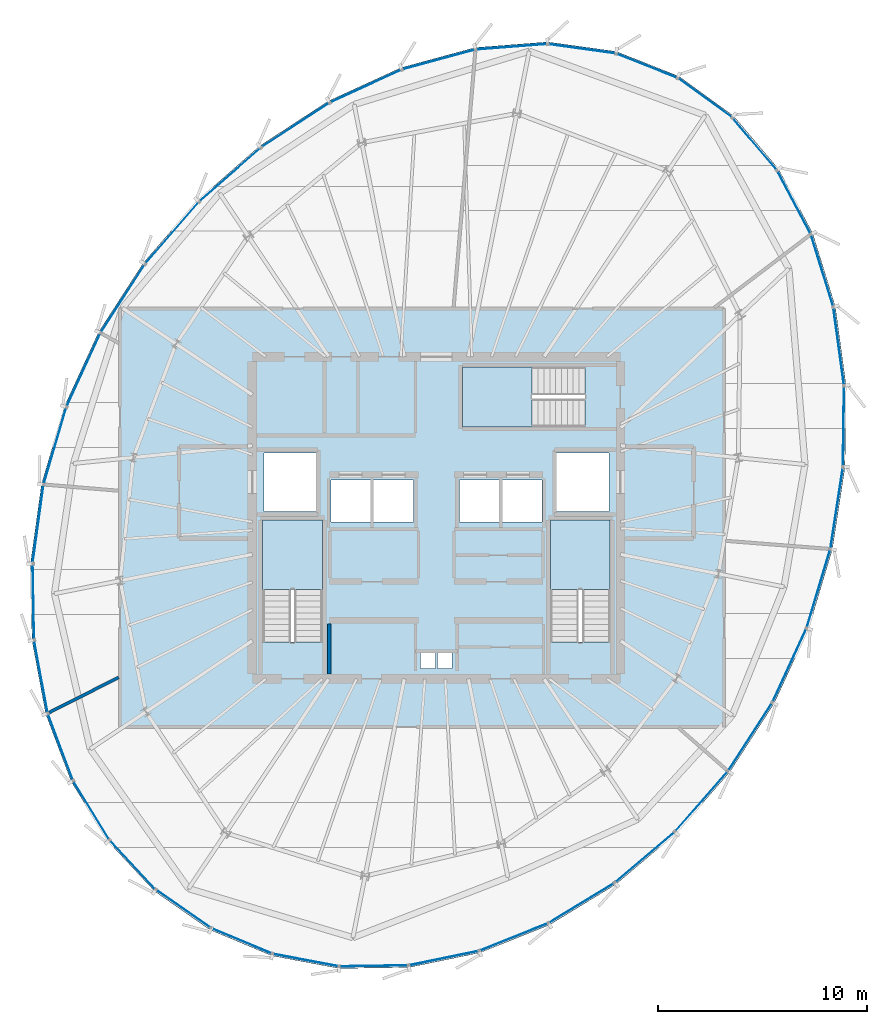
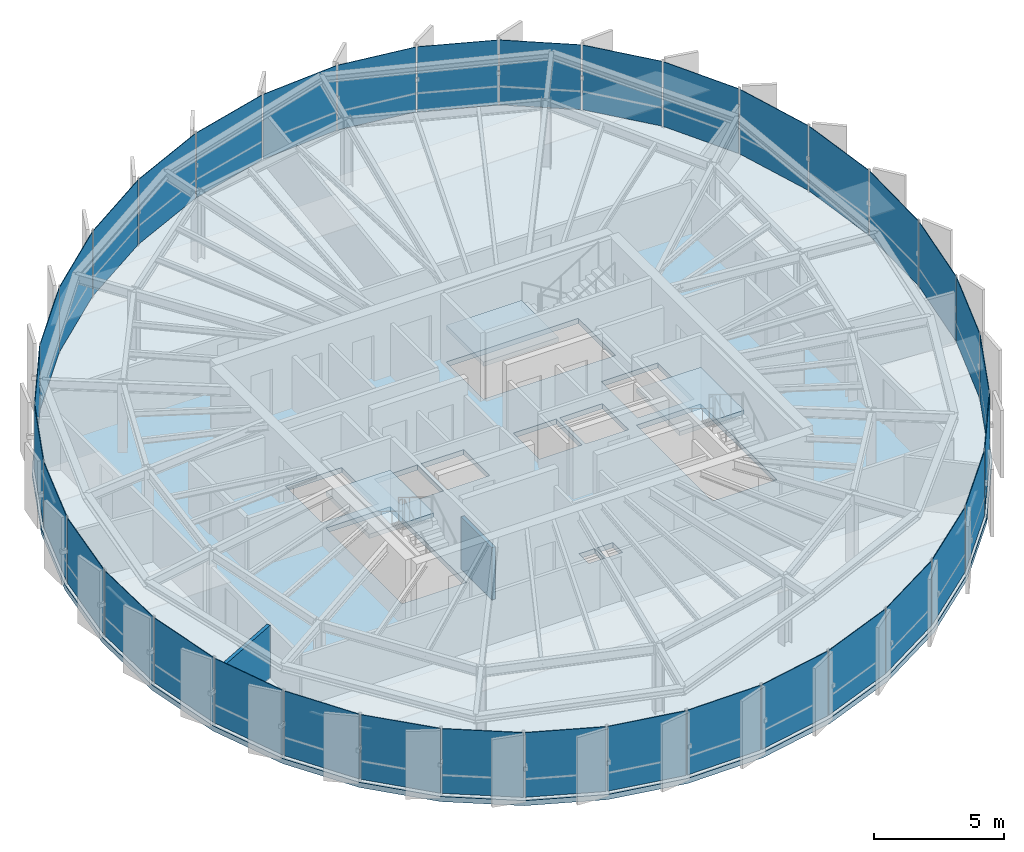
# One storey, part 25 of 32: 36 plates, 4 slabs, 2 walls, 9 elements without a shape of their own.
"""IFC4 building model written with IfcOpenShell, lengths in metres."""

from ifc_helpers import new_model, si_unit, direction, frame, frame_2d, origin, origin_2d, place, context, subcontext, project, spatial, polyline, rectangle, outline, extrude, source, transform, mapped, material, layer, layer_set, type_object, element, aggregate, save


model = new_model("IFC4")

# Units and contexts
model_context = context("Model", 3, precision=1e-05, world=origin(), true_north=direction((0.0, 1.0)))
body_context = subcontext(model_context, "Body", "Model", "MODEL_VIEW")
ifc_project = project(units=[si_unit("LENGTHUNIT", "METRE"), si_unit("AREAUNIT", "SQUARE_METRE"), si_unit("VOLUMEUNIT", "CUBIC_METRE"), si_unit("PLANEANGLEUNIT", "RADIAN"), si_unit("MASSUNIT", "GRAM", prefix="KILO"), si_unit("THERMODYNAMICTEMPERATUREUNIT", "KELVIN")], contexts=[model_context])

# Site, building, storey
site_placement = place(None, origin())
site = spatial("IfcSite", under=ifc_project, at=site_placement, CompositionType="ELEMENT")
building_placement = place(site_placement, origin())
building = spatial("IfcBuilding", under=site, at=building_placement, Name="Kethvar Cultural Tower", CompositionType="ELEMENT")
storey_placement = place(building_placement, frame((0.0, 0.0, 280.14990234375)))
storey = spatial("IfcBuildingStorey", under=building, at=storey_placement, Name="L74", CompositionType="ELEMENT", Elevation=280.14990234375)

# Stair, slab
ifc_material_1 = material(Name="Concrete C40/50", Category="concrete")
stair_type = type_object("IfcStairType", Name="ST-DOGLEG-135", PredefinedType="HALF_TURN_STAIR", material=ifc_material_1)
stair_1_placement = place(storey_placement, origin())
stair_1 = element("IfcStair", 1, at=stair_1_placement, inside=storey, type_object=stair_type, Name="L74 Core Exit Stair 1", PredefinedType="HALF_TURN_STAIR")
ifc_layer_1 = layer(ifc_material_1, 0.199951171875, Name="Concrete C40/50", Category="concrete")
ifc_layer_set_1 = layer_set([ifc_layer_1], Name="Concrete C40/50 (200 mm)")
slab_type_1 = type_object("IfcSlabType", Name="SL-STAIR-LANDING-200", PredefinedType="LANDING", material=ifc_layer_set_1)
slab_1_placement = place(storey_placement, frame((0.0, 0.0, 1.525146484375)))
slab_1 = element("IfcSlab", 2, at=slab_1_placement, type_object=slab_type_1, Name="ST-01 landing 1", PredefinedType="LANDING", context=body_context, shape_type="SweptSolid", body=[
    extrude(outline(polyline([(41.35009765625, 24.3701171875), (41.35009765625, 27.699951171875), (38.489990234375, 27.699951171875), (38.489990234375, 24.3701171875), (41.35009765625, 24.3701171875)])), origin(), (0.0, 0.0, 1.0), 0.199951171875),
])
aggregate(stair_1, [slab_1])

stair_2_placement = place(storey_placement, origin())
stair_2 = element("IfcStair", 3, at=stair_2_placement, inside=storey, type_object=stair_type, Name="L74 Core Exit Stair 2", PredefinedType="HALF_TURN_STAIR")
slab_2_placement = place(storey_placement, frame((0.0, 0.0, 1.525146484375)))
slab_2 = element("IfcSlab", 4, at=slab_2_placement, type_object=slab_type_1, Name="ST-02 landing 1", PredefinedType="LANDING", context=body_context, shape_type="SweptSolid", body=[
    extrude(outline(polyline([(55.110107421875, 24.3701171875), (55.110107421875, 27.699951171875), (52.25, 27.699951171875), (52.25, 24.3701171875), (55.110107421875, 24.3701171875)])), origin(), (0.0, 0.0, 1.0), 0.199951171875),
])
aggregate(stair_2, [slab_2])

stair_3_placement = place(storey_placement, origin())
stair_3 = element("IfcStair", 5, at=stair_3_placement, inside=storey, type_object=stair_type, Name="L74 Core Exit Stair 3", PredefinedType="HALF_TURN_STAIR")
slab_3_placement = place(storey_placement, frame((0.0, 0.0, 1.525146484375)))
slab_3 = element("IfcSlab", 6, at=slab_3_placement, type_object=slab_type_1, Name="ST-03 landing 1", PredefinedType="LANDING", context=body_context, shape_type="SweptSolid", body=[
    extrude(outline(polyline([(51.3798828125, 35.010009765625), (48.050048828125, 35.010009765625), (48.050048828125, 32.14990234375), (51.3798828125, 32.14990234375), (51.3798828125, 35.010009765625)])), origin(), (0.0, 0.0, 1.0), 0.199951171875),
])
aggregate(stair_3, [slab_3])

# Slab
ifc_layer_2 = layer(ifc_material_1, 0.239990234375, Name="Concrete C40/50", Category="concrete")
ifc_layer_set_2 = layer_set([ifc_layer_2], Name="Concrete C40/50 (240 mm)")
slab_type_2 = type_object("IfcSlabType", Name="SL-TOW-240", PredefinedType="FLOOR", material=ifc_layer_set_2)
slab_4_placement = place(storey_placement, frame((0.0, 0.0, -0.239990234375)))
element("IfcSlab", 7, at=slab_4_placement, inside=storey, type_object=slab_type_2, Name="L74 Structural Floor Slab", PredefinedType="FLOOR", context=body_context, shape_type="SweptSolid", body=[
    extrude(outline(polyline([(58.40185546875, 48.90380859375), (55.40380859375, 50.093505859375), (52.11376953125, 50.55029296875), (48.642578125, 50.2802734375), (45.111328125, 49.31982421875), (41.64501953125, 47.72998046875), (38.36474609375, 45.588134765625), (35.38037109375, 42.977783203125), (32.784912109375, 39.98291015625), (30.649169921875, 36.678955078125), (29.013671875, 33.123046875), (27.918701171875, 29.4052734375), (27.3974609375, 25.638671875), (27.465576171875, 21.937744140625), (28.121337890625, 18.4150390625), (29.344482421875, 15.177490234375), (31.09814453125, 12.3232421875), (33.328857421875, 9.939453125), (35.968994140625, 8.098388671875), (38.93798828125, 6.85595703125), (42.14599609375, 6.249755859375), (45.49560546875, 6.29833984375), (48.884521484375, 7.00048828125), (52.210205078125, 8.334228515625), (55.37158203125, 10.259765625), (58.2724609375, 12.718017578125), (60.82470703125, 15.634765625), (62.950927734375, 18.9208984375), (64.595947265625, 22.49462890625), (65.73388671875, 26.290771484375), (66.3388671875, 30.209228515625), (66.3896484375, 34.126708984375), (65.87451171875, 37.905029296875), (64.79345703125, 41.401123046875), (63.16162109375, 44.476806640625), (61.012939453125, 47.010009765625), (58.40185546875, 48.90380859375)]), holes=[polyline([(38.489990234375, 21.85009765625), (38.489990234375, 27.699951171875), (41.35009765625, 27.699951171875), (41.35009765625, 21.85009765625), (38.489990234375, 21.85009765625)]), polyline([(52.25, 21.85009765625), (52.25, 27.699951171875), (55.110107421875, 27.699951171875), (55.110107421875, 21.85009765625), (52.25, 21.85009765625)]), polyline([(53.89990234375, 32.14990234375), (48.050048828125, 32.14990234375), (48.050048828125, 35.010009765625), (53.89990234375, 35.010009765625), (53.89990234375, 32.14990234375)]), polyline([(41.75, 29.60009765625), (43.64990234375, 29.60009765625), (43.64990234375, 27.60009765625), (41.75, 27.60009765625), (41.75, 29.60009765625)]), polyline([(43.800048828125, 29.60009765625), (45.699951171875, 29.60009765625), (45.699951171875, 27.60009765625), (43.800048828125, 27.60009765625), (43.800048828125, 29.60009765625)]), polyline([(47.89990234375, 29.60009765625), (49.800048828125, 29.60009765625), (49.800048828125, 27.60009765625), (47.89990234375, 27.60009765625), (47.89990234375, 29.60009765625)]), polyline([(49.949951171875, 29.60009765625), (51.85009765625, 29.60009765625), (51.85009765625, 27.60009765625), (49.949951171875, 27.60009765625), (49.949951171875, 29.60009765625)]), polyline([(38.550048828125, 30.89990234375), (41.050048828125, 30.89990234375), (41.050048828125, 28.10009765625), (38.550048828125, 28.10009765625), (38.550048828125, 30.89990234375)]), polyline([(52.550048828125, 30.89990234375), (55.050048828125, 30.89990234375), (55.050048828125, 28.10009765625), (52.550048828125, 28.10009765625), (52.550048828125, 30.89990234375)]), polyline([(46.050048828125, 21.35009765625), (46.75, 21.35009765625), (46.75, 20.60009765625), (46.050048828125, 20.60009765625), (46.050048828125, 21.35009765625)]), polyline([(46.85009765625, 21.35009765625), (47.550048828125, 21.35009765625), (47.550048828125, 20.60009765625), (46.85009765625, 20.60009765625), (46.85009765625, 21.35009765625)])]), origin(), (0.0, 0.0, 1.0), 0.239990234375),
])

# Curtain wall, plate
ifc_material_2 = material(Name="Aluminium 6063-T6", Category="aluminium")
ifc_layer_3 = layer(ifc_material_2, 0.179931640625, Name="Aluminium 6063-T6", Category="aluminium")
ifc_layer_set_3 = layer_set([ifc_layer_3], Name="Aluminium 6063-T6 (180 mm)")
curtain_wall_type = type_object("IfcCurtainWallType", Name="CW-SYS-05-Z56", PredefinedType="NOTDEFINED", material=ifc_layer_set_3)
curtain_wall_1_placement = place(storey_placement, origin())
curtain_wall_1 = element("IfcCurtainWall", 8, at=curtain_wall_1_placement, inside=storey, type_object=curtain_wall_type, Name="L74 Curtain Wall Run 03", PredefinedType="NOTDEFINED")
ifc_material_3 = material(Name="Insulated Low-E Solar Glass", Category="glass")
ifc_layer_4 = layer(ifc_material_3, 0.028076171875, Name="Insulated Low-E Solar Glass", Category="glass")
ifc_layer_set_4 = layer_set([ifc_layer_4], Name="Insulated Low-E Solar Glass (28 mm)")
plate_type = type_object("IfcPlateType", Name="CW-SYS-05-Z56-PNL", PredefinedType="CURTAIN_PANEL", material=ifc_layer_set_4)
shared_shape_1 = source(origin(), body_context, "Body", "SweptSolid", [
    extrude(rectangle(XDim=3.622314453125, YDim=0.028076171875, at=origin_2d()), origin(), (0.0, 0.0, 1.0), 3.030029296875),
])
plate_1_placement = place(storey_placement, frame((27.531494140625, 23.7900390625, 0.08984375), z_axis=(0.0, 0.0, 1.0), x_axis=(0.018429633466, -0.999830159882, 0.0)))
plate_1 = element("IfcPlate", 9, at=plate_1_placement, type_object=plate_type, Name="CW-L74-R03 Vision Glazing Panel 1", PredefinedType="CURTAIN_PANEL", context=body_context, shape_type="MappedRepresentation", body=[
    mapped(shared_shape_1, transform((0.0, 0.0, 0.0), scale=1.0)),
])

curtain_wall_2_placement = place(storey_placement, origin())
curtain_wall_2 = element("IfcCurtainWall", 10, at=curtain_wall_2_placement, inside=storey, type_object=curtain_wall_type, Name="L74 Curtain Wall Run 04", PredefinedType="NOTDEFINED")
plate_2_placement = place(storey_placement, frame((53.73876953125, 9.38232421875, 0.08984375), z_axis=(0.0, 0.0, 1.0), x_axis=(0.854059616181, 0.520175135901, 0.0)))
plate_2 = element("IfcPlate", 11, at=plate_2_placement, type_object=plate_type, Name="CW-L74-R04 Vision Glazing Panel 6", PredefinedType="CURTAIN_PANEL", context=body_context, shape_type="MappedRepresentation", body=[
    mapped(shared_shape_1, transform((0.0, 0.0, 0.0), scale=1.0)),
])

curtain_wall_3_placement = place(storey_placement, origin())
curtain_wall_3 = element("IfcCurtainWall", 12, at=curtain_wall_3_placement, inside=storey, type_object=curtain_wall_type, Name="L74 Curtain Wall Run 02", PredefinedType="NOTDEFINED")
shared_shape_2 = source(origin(), body_context, "Body", "SweptSolid", [
    extrude(rectangle(XDim=3.834716796875, YDim=0.028076171875, at=origin_2d()), origin(), (0.0, 0.0, 1.0), 3.030029296875),
])
plate_3_placement = place(storey_placement, frame((29.922119140625, 34.859130859375, 0.08984375), z_axis=(0.0, 0.0, 1.0), x_axis=(-0.417835360629, -0.908522763286, 0.0)))
plate_3 = element("IfcPlate", 13, at=plate_3_placement, type_object=plate_type, Name="CW-L74-R02 Vision Glazing Panel 4", PredefinedType="CURTAIN_PANEL", context=body_context, shape_type="MappedRepresentation", body=[
    mapped(shared_shape_2, transform((0.0, 0.0, 0.0), scale=1.0)),
])

# Curtain wall, plates
curtain_wall_4_placement = place(storey_placement, origin())
curtain_wall_4 = element("IfcCurtainWall", 14, at=curtain_wall_4_placement, inside=storey, type_object=curtain_wall_type, Name="L74 Curtain Wall Run 01", PredefinedType="NOTDEFINED")
shared_shape_3 = source(origin(), body_context, "Body", "SweptSolid", [
    extrude(rectangle(XDim=3.146484375, YDim=0.028076171875, at=origin_2d()), origin(), (0.0, 0.0, 1.0), 3.030029296875),
])
plate_4_placement = place(storey_placement, frame((56.865966796875, 49.40576171875, 0.08984375), z_axis=(0.0, 0.0, 1.0), x_axis=(-0.92947419878, 0.36888712881, 0.0)))
plate_4 = element("IfcPlate", 15, at=plate_4_placement, type_object=plate_type, Name="CW-L74-R01 Vision Glazing Panel 1", PredefinedType="CURTAIN_PANEL", context=body_context, shape_type="MappedRepresentation", body=[
    mapped(shared_shape_3, transform((0.0, 0.0, 0.0), scale=1.0)),
])
shared_shape_4 = source(origin(), body_context, "Body", "SweptSolid", [
    extrude(rectangle(XDim=3.242431640625, YDim=0.028076171875, at=origin_2d()), origin(), (0.0, 0.0, 1.0), 3.030029296875),
])
plate_5_placement = place(storey_placement, frame((53.7451171875, 50.222900390625, 0.08984375), z_axis=(0.0, 0.0, 1.0), x_axis=(-0.990499865385, 0.137513696308, 0.0)))
plate_5 = element("IfcPlate", 16, at=plate_5_placement, type_object=plate_type, Name="CW-L74-R01 Vision Glazing Panel 2", PredefinedType="CURTAIN_PANEL", context=body_context, shape_type="MappedRepresentation", body=[
    mapped(shared_shape_4, transform((0.0, 0.0, 0.0), scale=1.0)),
])

# Curtain wall, plate
curtain_wall_5_placement = place(storey_placement, origin())
curtain_wall_5 = element("IfcCurtainWall", 17, at=curtain_wall_5_placement, inside=storey, type_object=curtain_wall_type, Name="L74 Curtain Wall Run 06", PredefinedType="NOTDEFINED")
plate_6_placement = place(storey_placement, frame((62.010986328125, 45.6787109375, 0.08984375), z_axis=(0.0, 0.0, 1.0), x_axis=(-0.646869642405, 0.762600593847, 0.0)))
plate_6 = element("IfcPlate", 18, at=plate_6_placement, type_object=plate_type, Name="CW-L74-R06 Vision Glazing Panel 5", PredefinedType="CURTAIN_PANEL", context=body_context, shape_type="MappedRepresentation", body=[
    mapped(shared_shape_4, transform((0.0, 0.0, 0.0), scale=1.0)),
])

# Plate
shared_shape_5 = source(origin(), body_context, "Body", "SweptSolid", [
    extrude(rectangle(XDim=3.402587890625, YDim=0.028076171875, at=origin_2d()), origin(), (0.0, 0.0, 1.0), 3.030029296875),
])
plate_7_placement = place(storey_placement, frame((50.385986328125, 50.315673828125, 0.08984375), z_axis=(0.0, 0.0, 1.0), x_axis=(-0.996984068267, -0.077606492137, 0.0)))
plate_7 = element("IfcPlate", 19, at=plate_7_placement, type_object=plate_type, Name="CW-L74-R01 Vision Glazing Panel 3", PredefinedType="CURTAIN_PANEL", context=body_context, shape_type="MappedRepresentation", body=[
    mapped(shared_shape_5, transform((0.0, 0.0, 0.0), scale=1.0)),
])

plate_8_placement = place(storey_placement, frame((63.88916015625, 42.89208984375, 0.08984375), z_axis=(0.0, 0.0, 1.0), x_axis=(-0.468685449433, 0.88336512807, 0.0)))
plate_8 = element("IfcPlate", 20, at=plate_8_placement, type_object=plate_type, Name="CW-L74-R06 Vision Glazing Panel 4", PredefinedType="CURTAIN_PANEL", context=body_context, shape_type="MappedRepresentation", body=[
    mapped(shared_shape_5, transform((0.0, 0.0, 0.0), scale=1.0)),
])

shared_shape_6 = source(origin(), body_context, "Body", "SweptSolid", [
    extrude(rectangle(XDim=3.580078125, YDim=0.028076171875, at=origin_2d()), origin(), (0.0, 0.0, 1.0), 3.030029296875),
])
plate_9_placement = place(storey_placement, frame((46.9033203125, 49.70361328125, 0.08984375), z_axis=(0.0, 0.0, 1.0), x_axis=(-0.964947820436, -0.26244181038, 0.0)))
plate_9 = element("IfcPlate", 21, at=plate_9_placement, type_object=plate_type, Name="CW-L74-R01 Vision Glazing Panel 4", PredefinedType="CURTAIN_PANEL", context=body_context, shape_type="MappedRepresentation", body=[
    mapped(shared_shape_6, transform((0.0, 0.0, 0.0), scale=1.0)),
])

plate_10_placement = place(storey_placement, frame((65.238525390625, 39.62353515625, 0.08984375), z_axis=(0.0, 0.0, 1.0), x_axis=(-0.295424600236, 0.955366058417, 0.0)))
plate_10 = element("IfcPlate", 22, at=plate_10_placement, type_object=plate_type, Name="CW-L74-R06 Vision Glazing Panel 3", PredefinedType="CURTAIN_PANEL", context=body_context, shape_type="MappedRepresentation", body=[
    mapped(shared_shape_6, transform((0.0, 0.0, 0.0), scale=1.0)),
])

shared_shape_7 = source(origin(), body_context, "Body", "SweptSolid", [
    extrude(rectangle(XDim=3.734130859375, YDim=0.028076171875, at=origin_2d()), origin(), (0.0, 0.0, 1.0), 3.030029296875),
])
plate_11_placement = place(storey_placement, frame((43.419921875, 48.43408203125, 0.08984375), z_axis=(0.0, 0.0, 1.0), x_axis=(-0.908967097074, -0.416867864481, 0.0)))
plate_11 = element("IfcPlate", 23, at=plate_11_placement, type_object=plate_type, Name="CW-L74-R01 Vision Glazing Panel 5", PredefinedType="CURTAIN_PANEL", context=body_context, shape_type="MappedRepresentation", body=[
    mapped(shared_shape_7, transform((0.0, 0.0, 0.0), scale=1.0)),
])

plate_12_placement = place(storey_placement, frame((66.033203125, 36.00244140625, 0.08984375), z_axis=(0.0, 0.0, 1.0), x_axis=(-0.135110333735, 0.99083055954, 0.0)))
plate_12 = element("IfcPlate", 24, at=plate_12_placement, type_object=plate_type, Name="CW-L74-R06 Vision Glazing Panel 2", PredefinedType="CURTAIN_PANEL", context=body_context, shape_type="MappedRepresentation", body=[
    mapped(shared_shape_7, transform((0.0, 0.0, 0.0), scale=1.0)),
])

shared_shape_8 = source(origin(), body_context, "Body", "SweptSolid", [
    extrude(rectangle(XDim=3.838623046875, YDim=0.028076171875, at=origin_2d()), origin(), (0.0, 0.0, 1.0), 3.030029296875),
])
plate_13_placement = place(storey_placement, frame((40.0595703125, 46.575439453125, 0.08984375), z_axis=(0.0, 0.0, 1.0), x_axis=(-0.837308635819, -0.546730508005, 0.0)))
plate_13 = element("IfcPlate", 25, at=plate_13_placement, type_object=plate_type, Name="CW-L74-R01 Vision Glazing Panel 6", PredefinedType="CURTAIN_PANEL", context=body_context, shape_type="MappedRepresentation", body=[
    mapped(shared_shape_8, transform((0.0, 0.0, 0.0), scale=1.0)),
])

aggregate(curtain_wall_4, [plate_4, plate_5, plate_7, plate_9, plate_11, plate_13])

plate_14_placement = place(storey_placement, frame((66.264404296875, 32.169189453125, 0.08984375), z_axis=(0.0, 0.0, 1.0), x_axis=(0.012967432893, 0.999915919307, 0.0)))
plate_14 = element("IfcPlate", 26, at=plate_14_placement, type_object=plate_type, Name="CW-L74-R06 Vision Glazing Panel 1", PredefinedType="CURTAIN_PANEL", context=body_context, shape_type="MappedRepresentation", body=[
    mapped(shared_shape_8, transform((0.0, 0.0, 0.0), scale=1.0)),
])

shared_shape_9 = source(origin(), body_context, "Body", "SweptSolid", [
    extrude(rectangle(XDim=3.8857421875, YDim=0.028076171875, at=origin_2d()), origin(), (0.0, 0.0, 1.0), 3.030029296875),
])
plate_15_placement = place(storey_placement, frame((36.938232421875, 44.207763671875, 0.08984375), z_axis=(0.0, 0.0, 1.0), x_axis=(-0.752702244758, -0.658361094489, 0.0)))
plate_15 = element("IfcPlate", 27, at=plate_15_placement, type_object=plate_type, Name="CW-L74-R02 Vision Glazing Panel 1", PredefinedType="CURTAIN_PANEL", context=body_context, shape_type="MappedRepresentation", body=[
    mapped(shared_shape_9, transform((0.0, 0.0, 0.0), scale=1.0)),
])

# Curtain wall, plate
curtain_wall_6_placement = place(storey_placement, origin())
curtain_wall_6 = element("IfcCurtainWall", 28, at=curtain_wall_6_placement, inside=storey, type_object=curtain_wall_type, Name="L74 Curtain Wall Run 05", PredefinedType="NOTDEFINED")
plate_16_placement = place(storey_placement, frame((65.9375, 28.26513671875, 0.08984375), z_axis=(0.0, 0.0, 1.0), x_axis=(0.152554625759, 0.988295040036, 0.0)))
plate_16 = element("IfcPlate", 29, at=plate_16_placement, type_object=plate_type, Name="CW-L74-R05 Vision Glazing Panel 6", PredefinedType="CURTAIN_PANEL", context=body_context, shape_type="MappedRepresentation", body=[
    mapped(shared_shape_9, transform((0.0, 0.0, 0.0), scale=1.0)),
])

# Plate
shared_shape_10 = source(origin(), body_context, "Body", "SweptSolid", [
    extrude(rectangle(XDim=3.8837890625, YDim=0.028076171875, at=origin_2d()), origin(), (0.0, 0.0, 1.0), 3.030029296875),
])
plate_17_placement = place(storey_placement, frame((34.158203125, 41.414794921875, 0.08984375), z_axis=(0.0, 0.0, 1.0), x_axis=(-0.654885915099, -0.755727754026, 0.0)))
plate_17 = element("IfcPlate", 30, at=plate_17_placement, type_object=plate_type, Name="CW-L74-R02 Vision Glazing Panel 2", PredefinedType="CURTAIN_PANEL", context=body_context, shape_type="MappedRepresentation", body=[
    mapped(shared_shape_10, transform((0.0, 0.0, 0.0), scale=1.0)),
])

plate_18_placement = place(storey_placement, frame((65.069091796875, 24.42138671875, 0.08984375), z_axis=(0.0, 0.0, 1.0), x_axis=(0.287159907674, 0.957882658484, 0.0)))
plate_18 = element("IfcPlate", 31, at=plate_18_placement, type_object=plate_type, Name="CW-L74-R05 Vision Glazing Panel 5", PredefinedType="CURTAIN_PANEL", context=body_context, shape_type="MappedRepresentation", body=[
    mapped(shared_shape_10, transform((0.0, 0.0, 0.0), scale=1.0)),
])

shared_shape_11 = source(origin(), body_context, "Body", "SweptSolid", [
    extrude(rectangle(XDim=3.85498046875, YDim=0.028076171875, at=origin_2d()), origin(), (0.0, 0.0, 1.0), 3.030029296875),
])
plate_19_placement = place(storey_placement, frame((31.801025390625, 38.276611328125, 0.08984375), z_axis=(0.0, 0.0, 1.0), x_axis=(-0.542910648791, -0.839790466384, 0.0)))
plate_19 = element("IfcPlate", 32, at=plate_19_placement, type_object=plate_type, Name="CW-L74-R02 Vision Glazing Panel 3", PredefinedType="CURTAIN_PANEL", context=body_context, shape_type="MappedRepresentation", body=[
    mapped(shared_shape_11, transform((0.0, 0.0, 0.0), scale=1.0)),
])

shared_shape_12 = source(origin(), body_context, "Body", "SweptSolid", [
    extrude(rectangle(XDim=3.796630859375, YDim=0.028076171875, at=origin_2d()), origin(), (0.0, 0.0, 1.0), 3.030029296875),
])
plate_20_placement = place(storey_placement, frame((28.56201171875, 31.23583984375, 0.08984375), z_axis=(0.0, 0.0, 1.0), x_axis=(-0.2825256267, -0.959259751192, 0.0)))
plate_20 = element("IfcPlate", 33, at=plate_20_placement, type_object=plate_type, Name="CW-L74-R02 Vision Glazing Panel 5", PredefinedType="CURTAIN_PANEL", context=body_context, shape_type="MappedRepresentation", body=[
    mapped(shared_shape_12, transform((0.0, 0.0, 0.0), scale=1.0)),
])

shared_shape_13 = source(origin(), body_context, "Body", "SweptSolid", [
    extrude(rectangle(XDim=3.72314453125, YDim=0.028076171875, at=origin_2d()), origin(), (0.0, 0.0, 1.0), 3.030029296875),
])
plate_21_placement = place(storey_placement, frame((27.757080078125, 27.50830078125, 0.08984375), z_axis=(0.0, 0.0, 1.0), x_axis=(-0.137098784642, -0.990557380089, 0.0)))
plate_21 = element("IfcPlate", 34, at=plate_21_placement, type_object=plate_type, Name="CW-L74-R02 Vision Glazing Panel 6", PredefinedType="CURTAIN_PANEL", context=body_context, shape_type="MappedRepresentation", body=[
    mapped(shared_shape_13, transform((0.0, 0.0, 0.0), scale=1.0)),
])

aggregate(curtain_wall_3, [plate_15, plate_17, plate_19, plate_3, plate_20, plate_21])

plate_22_placement = place(storey_placement, frame((56.75732421875, 11.565185546875, 0.08984375), z_axis=(0.0, 0.0, 1.0), x_axis=(0.762894055451, 0.646523518642, 0.0)))
plate_22 = element("IfcPlate", 35, at=plate_22_placement, type_object=plate_type, Name="CW-L74-R05 Vision Glazing Panel 1", PredefinedType="CURTAIN_PANEL", context=body_context, shape_type="MappedRepresentation", body=[
    mapped(shared_shape_13, transform((0.0, 0.0, 0.0), scale=1.0)),
])

shared_shape_14 = source(origin(), body_context, "Body", "SweptSolid", [
    extrude(rectangle(XDim=3.504150390625, YDim=0.028076171875, at=origin_2d()), origin(), (0.0, 0.0, 1.0), 3.030029296875),
])
plate_23_placement = place(storey_placement, frame((27.891845703125, 20.194580078125, 0.08984375), z_axis=(0.0, 0.0, 1.0), x_axis=(0.182990557245, -0.983114670809, 0.0)))
plate_23 = element("IfcPlate", 36, at=plate_23_placement, type_object=plate_type, Name="CW-L74-R03 Vision Glazing Panel 2", PredefinedType="CURTAIN_PANEL", context=body_context, shape_type="MappedRepresentation", body=[
    mapped(shared_shape_14, transform((0.0, 0.0, 0.0), scale=1.0)),
])

shared_shape_15 = source(origin(), body_context, "Body", "SweptSolid", [
    extrude(rectangle(XDim=3.3818359375, YDim=0.028076171875, at=origin_2d()), origin(), (0.0, 0.0, 1.0), 3.030029296875),
])
plate_24_placement = place(storey_placement, frame((28.826416015625, 16.83154296875, 0.08984375), z_axis=(0.0, 0.0, 1.0), x_axis=(0.353458517147, -0.935450199987, 0.0)))
plate_24 = element("IfcPlate", 37, at=plate_24_placement, type_object=plate_type, Name="CW-L74-R03 Vision Glazing Panel 3", PredefinedType="CURTAIN_PANEL", context=body_context, shape_type="MappedRepresentation", body=[
    mapped(shared_shape_15, transform((0.0, 0.0, 0.0), scale=1.0)),
])

shared_shape_16 = source(origin(), body_context, "Body", "SweptSolid", [
    extrude(rectangle(XDim=3.2705078125, YDim=0.028076171875, at=origin_2d()), origin(), (0.0, 0.0, 1.0), 3.030029296875),
])
plate_25_placement = place(storey_placement, frame((30.306640625, 13.802734375, 0.08984375), z_axis=(0.0, 0.0, 1.0), x_axis=(0.523495259589, -0.852028587072, 0.0)))
plate_25 = element("IfcPlate", 38, at=plate_25_placement, type_object=plate_type, Name="CW-L74-R03 Vision Glazing Panel 4", PredefinedType="CURTAIN_PANEL", context=body_context, shape_type="MappedRepresentation", body=[
    mapped(shared_shape_16, transform((0.0, 0.0, 0.0), scale=1.0)),
])

plate_26_placement = place(storey_placement, frame((43.8193359375, 6.3740234375, 0.08984375), z_axis=(0.0, 0.0, 1.0), x_axis=(0.999894316523, 0.014538080502, 0.0)))
plate_26 = element("IfcPlate", 39, at=plate_26_placement, type_object=plate_type, Name="CW-L74-R04 Vision Glazing Panel 3", PredefinedType="CURTAIN_PANEL", context=body_context, shape_type="MappedRepresentation", body=[
    mapped(shared_shape_16, transform((0.0, 0.0, 0.0), scale=1.0)),
])

shared_shape_17 = source(origin(), body_context, "Body", "SweptSolid", [
    extrude(rectangle(XDim=3.185546875, YDim=0.028076171875, at=origin_2d()), origin(), (0.0, 0.0, 1.0), 3.030029296875),
])
plate_27_placement = place(storey_placement, frame((32.28662109375, 11.19970703125, 0.08984375), z_axis=(0.0, 0.0, 1.0), x_axis=(0.683273773681, -0.730162276621, 0.0)))
plate_27 = element("IfcPlate", 40, at=plate_27_placement, type_object=plate_type, Name="CW-L74-R03 Vision Glazing Panel 5", PredefinedType="CURTAIN_PANEL", context=body_context, shape_type="MappedRepresentation", body=[
    mapped(shared_shape_17, transform((0.0, 0.0, 0.0), scale=1.0)),
])

plate_28_placement = place(storey_placement, frame((40.560791015625, 6.65087890625, 0.08984375), z_axis=(0.0, 0.0, 1.0), x_axis=(0.9826095559, -0.185683765186, 0.0)))
plate_28 = element("IfcPlate", 41, at=plate_28_placement, type_object=plate_type, Name="CW-L74-R04 Vision Glazing Panel 2", PredefinedType="CURTAIN_PANEL", context=body_context, shape_type="MappedRepresentation", body=[
    mapped(shared_shape_17, transform((0.0, 0.0, 0.0), scale=1.0)),
])

shared_shape_18 = source(origin(), body_context, "Body", "SweptSolid", [
    extrude(rectangle(XDim=3.139404296875, YDim=0.028076171875, at=origin_2d()), origin(), (0.0, 0.0, 1.0), 3.030029296875),
])
plate_29_placement = place(storey_placement, frame((34.7060546875, 9.10107421875, 0.08984375), z_axis=(0.0, 0.0, 1.0), x_axis=(0.820241738219, -0.572017037232, 0.0)))
plate_29 = element("IfcPlate", 42, at=plate_29_placement, type_object=plate_type, Name="CW-L74-R03 Vision Glazing Panel 6", PredefinedType="CURTAIN_PANEL", context=body_context, shape_type="MappedRepresentation", body=[
    mapped(shared_shape_18, transform((0.0, 0.0, 0.0), scale=1.0)),
])

aggregate(curtain_wall_1, [plate_1, plate_23, plate_24, plate_25, plate_27, plate_29])

shared_shape_19 = source(origin(), body_context, "Body", "SweptSolid", [
    extrude(rectangle(XDim=3.1396484375, YDim=0.028076171875, at=origin_2d()), origin(), (0.0, 0.0, 1.0), 3.030029296875),
])
plate_30_placement = place(storey_placement, frame((37.4921875, 7.5693359375, 0.08984375), z_axis=(0.0, 0.0, 1.0), x_axis=(0.922484197815, -0.386034849179, 0.0)))
plate_30 = element("IfcPlate", 43, at=plate_30_placement, type_object=plate_type, Name="CW-L74-R04 Vision Glazing Panel 1", PredefinedType="CURTAIN_PANEL", context=body_context, shape_type="MappedRepresentation", body=[
    mapped(shared_shape_19, transform((0.0, 0.0, 0.0), scale=1.0)),
])

shared_shape_20 = source(origin(), body_context, "Body", "SweptSolid", [
    extrude(rectangle(XDim=3.381591796875, YDim=0.028076171875, at=origin_2d()), origin(), (0.0, 0.0, 1.0), 3.030029296875),
])
plate_31_placement = place(storey_placement, frame((47.169677734375, 6.747314453125, 0.08984375), z_axis=(0.0, 0.0, 1.0), x_axis=(0.979212191362, 0.202838567065, 0.0)))
plate_31 = element("IfcPlate", 44, at=plate_31_placement, type_object=plate_type, Name="CW-L74-R04 Vision Glazing Panel 4", PredefinedType="CURTAIN_PANEL", context=body_context, shape_type="MappedRepresentation", body=[
    mapped(shared_shape_20, transform((0.0, 0.0, 0.0), scale=1.0)),
])

shared_shape_21 = source(origin(), body_context, "Body", "SweptSolid", [
    extrude(rectangle(XDim=3.50390625, YDim=0.028076171875, at=origin_2d()), origin(), (0.0, 0.0, 1.0), 3.030029296875),
])
plate_32_placement = place(storey_placement, frame((50.510009765625, 7.76025390625, 0.08984375), z_axis=(0.0, 0.0, 1.0), x_axis=(0.92812891162, 0.372258946722, 0.0)))
plate_32 = element("IfcPlate", 45, at=plate_32_placement, type_object=plate_type, Name="CW-L74-R04 Vision Glazing Panel 5", PredefinedType="CURTAIN_PANEL", context=body_context, shape_type="MappedRepresentation", body=[
    mapped(shared_shape_21, transform((0.0, 0.0, 0.0), scale=1.0)),
])

aggregate(curtain_wall_2, [plate_30, plate_28, plate_26, plate_31, plate_32, plate_2])

shared_shape_22 = source(origin(), body_context, "Body", "SweptSolid", [
    extrude(rectangle(XDim=3.79638671875, YDim=0.028076171875, at=origin_2d()), origin(), (0.0, 0.0, 1.0), 3.030029296875),
])
plate_33_placement = place(storey_placement, frame((59.473388671875, 14.2421875, 0.08984375), z_axis=(0.0, 0.0, 1.0), x_axis=(0.658544994688, 0.752541354327, 0.0)))
plate_33 = element("IfcPlate", 46, at=plate_33_placement, type_object=plate_type, Name="CW-L74-R05 Vision Glazing Panel 2", PredefinedType="CURTAIN_PANEL", context=body_context, shape_type="MappedRepresentation", body=[
    mapped(shared_shape_22, transform((0.0, 0.0, 0.0), scale=1.0)),
])

shared_shape_23 = source(origin(), body_context, "Body", "SweptSolid", [
    extrude(rectangle(XDim=3.8349609375, YDim=0.028076171875, at=origin_2d()), origin(), (0.0, 0.0, 1.0), 3.030029296875),
])
plate_34_placement = place(storey_placement, frame((61.8037109375, 17.332275390625, 0.08984375), z_axis=(0.0, 0.0, 1.0), x_axis=(0.543203757882, 0.839600903658, 0.0)))
plate_34 = element("IfcPlate", 47, at=plate_34_placement, type_object=plate_type, Name="CW-L74-R05 Vision Glazing Panel 3", PredefinedType="CURTAIN_PANEL", context=body_context, shape_type="MappedRepresentation", body=[
    mapped(shared_shape_23, transform((0.0, 0.0, 0.0), scale=1.0)),
])

shared_shape_24 = source(origin(), body_context, "Body", "SweptSolid", [
    extrude(rectangle(XDim=3.854736328125, YDim=0.028076171875, at=origin_2d()), origin(), (0.0, 0.0, 1.0), 3.030029296875),
])
plate_35_placement = place(storey_placement, frame((63.6826171875, 20.74951171875, 0.08984375), z_axis=(0.0, 0.0, 1.0), x_axis=(0.41816832354, 0.908369557607, 0.0)))
plate_35 = element("IfcPlate", 48, at=plate_35_placement, type_object=plate_type, Name="CW-L74-R05 Vision Glazing Panel 4", PredefinedType="CURTAIN_PANEL", context=body_context, shape_type="MappedRepresentation", body=[
    mapped(shared_shape_24, transform((0.0, 0.0, 0.0), scale=1.0)),
])

aggregate(curtain_wall_6, [plate_22, plate_33, plate_34, plate_35, plate_18, plate_16])

shared_shape_25 = source(origin(), body_context, "Body", "SweptSolid", [
    extrude(rectangle(XDim=3.146240234375, YDim=0.028076171875, at=origin_2d()), origin(), (0.0, 0.0, 1.0), 3.030029296875),
])
plate_36_placement = place(storey_placement, frame((59.648681640625, 47.875732421875, 0.08984375), z_axis=(0.0, 0.0, 1.0), x_axis=(-0.809488637836, 0.587135542456, 0.0)))
plate_36 = element("IfcPlate", 49, at=plate_36_placement, type_object=plate_type, Name="CW-L74-R06 Vision Glazing Panel 6", PredefinedType="CURTAIN_PANEL", context=body_context, shape_type="MappedRepresentation", body=[
    mapped(shared_shape_25, transform((0.0, 0.0, 0.0), scale=1.0)),
])

aggregate(curtain_wall_5, [plate_14, plate_12, plate_10, plate_8, plate_6, plate_36])

# Walls
ifc_material_4 = material(Name="Gypsum Fireboard Partition")
ifc_layer_5 = layer(ifc_material_4, 0.14990234375, Name="Gypsum Fireboard Partition")
ifc_layer_set_5 = layer_set([ifc_layer_5], Name="Gypsum Fireboard Partition (150 mm)")
wall_type_1 = type_object("IfcWallType", Name="WL-FIRE-150", PredefinedType="PARTITIONING", material=ifc_layer_set_5)
wall_1_placement = place(storey_placement, frame((41.679931640625, 20.3349609375, 0.0), z_axis=(0.0, 0.0, 1.0), x_axis=(0.0, 1.0, 0.0)))
element("IfcWall", 50, at=wall_1_placement, inside=storey, type_object=wall_type_1, Name="L74 Reclaimed West Outer Wall", PredefinedType="PARTITIONING", context=body_context, shape_type="SweptSolid", body=[
    extrude(rectangle(XDim=2.39501953125, YDim=0.14990234375, at=frame_2d((1.197509765625, 0.0))), origin(), (0.0, 0.0, 1.0), 2.455078125),
])
ifc_material_5 = material(Name="Gypsum Acoustic Partition")
ifc_layer_6 = layer(ifc_material_5, 0.14990234375, Name="Gypsum Acoustic Partition")
ifc_layer_set_6 = layer_set([ifc_layer_6], Name="Gypsum Acoustic Partition (150 mm)")
wall_type_2 = type_object("IfcWallType", Name="WL-PART-150", PredefinedType="PARTITIONING", material=ifc_layer_set_6)
wall_2_placement = place(storey_placement, frame((31.608642578125, 20.1669921875, 0.0), z_axis=(0.0, 0.0, 1.0), x_axis=(-0.89233988313, -0.451364080289, 0.0)))
element("IfcWall", 51, at=wall_2_placement, inside=storey, type_object=wall_type_2, Name="L74 Radial Partition Wall 01", PredefinedType="PARTITIONING", context=body_context, shape_type="SweptSolid", body=[
    extrude(rectangle(XDim=3.713134765625, YDim=0.14990234375, at=frame_2d((1.8564453125, 0.0))), origin(), (0.0, 0.0, 1.0), 2.455078125),
])

save(model, "model.ifc")
